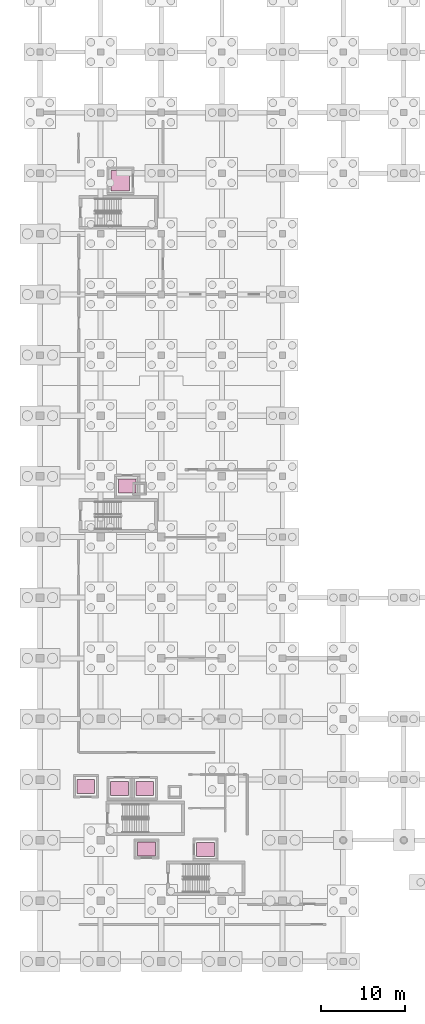
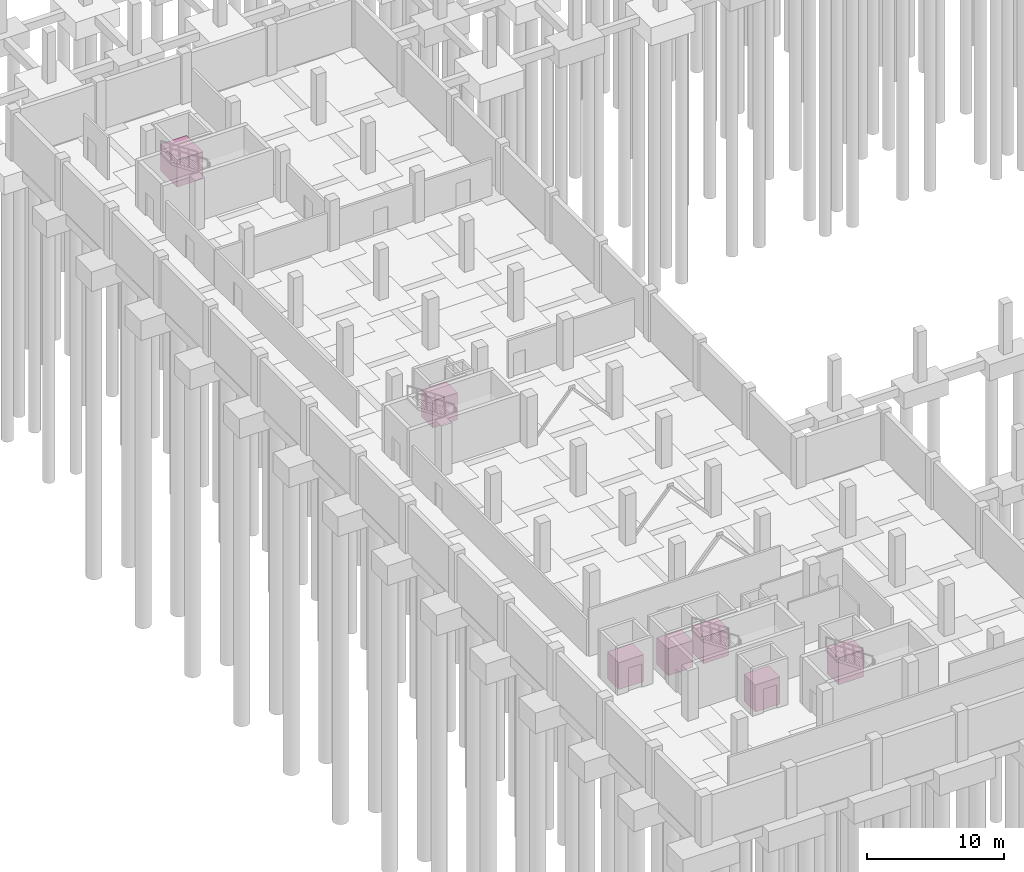
# One storey, part 36 of 36: 7 transport elements.
"""IFC4 building model written with IfcOpenShell, lengths in metres."""

from ifc_helpers import new_model, si_unit, direction, frame, origin, origin_2d, place, context, subcontext, project, spatial, rectangle, extrude, material, type_object, element, save


model = new_model("IFC4")

# Units and contexts
model_context = context("Model", 3, precision=1e-05, world=origin(), true_north=direction((0.0, 1.0)))
body_context = subcontext(model_context, "Body", "Model", "MODEL_VIEW")
ifc_project = project(units=[si_unit("LENGTHUNIT", "METRE"), si_unit("AREAUNIT", "SQUARE_METRE"), si_unit("VOLUMEUNIT", "CUBIC_METRE"), si_unit("PLANEANGLEUNIT", "RADIAN"), si_unit("MASSUNIT", "GRAM", prefix="KILO")], contexts=[model_context])

# Site, building, storey
site_placement = place(None, origin())
site = spatial("IfcSite", under=ifc_project, at=site_placement, CompositionType="ELEMENT")
building_placement = place(site_placement, origin())
building = spatial("IfcBuilding", under=site, at=building_placement, Name="Kalmorath City Hall", CompositionType="ELEMENT")
storey_placement = place(building_placement, frame((0.0, 0.0, -4.5)))
storey = spatial("IfcBuildingStorey", under=building, at=storey_placement, Name="B1", CompositionType="ELEMENT", Elevation=-4.5)

# Transport elements
ifc_material_1 = material(Name="Stainless steel elevator cab", Category="steel")
transport_element_type_1 = type_object("IfcTransportElementType", Name="Archives goods elevator car 2200x2400", PredefinedType="ELEVATOR", material=ifc_material_1)
transport_element_placement = place(storey_placement, frame((9.550048828125, 92.699951171875, 0.0), z_axis=(0.0, 0.0, 1.0), x_axis=(1.0, 0.0, 0.0)))
element("IfcTransportElement", 1, at=transport_element_placement, inside=storey, type_object=transport_element_type_1, Name="Elevator SL1", PredefinedType="ELEVATOR", context=body_context, shape_type="SweptSolid", body=[
    extrude(rectangle(XDim=2.199951171875, YDim=2.39990234375, at=origin_2d()), origin(), (0.0, 0.0, 1.0), 2.39990234375),
])
ifc_material_2 = material(Name="Stainless steel elevator cab", Category="steel")
transport_element_type_2 = type_object("IfcTransportElementType", Name="Firefighting stretcher elevator car 2100x1650", PredefinedType="ELEVATOR", material=ifc_material_2)
for number, where, z_axis, x_axis, name in (
    (2, (5.449951171875, 20.800048828125, 0.0), (0.0, 0.0, 1.0), (1.0, 0.0, 0.0), "Elevator FL1"),
    (3, (12.64990234375, 13.35009765625, 0.0), (0.0, 0.0, 1.0), (1.0, 0.0, 0.0), "Elevator FL2"),
):
    element("IfcTransportElement", number, at=place(storey_placement, frame(where, z_axis=z_axis, x_axis=x_axis)), inside=storey, type_object=transport_element_type_2, Name=name, PredefinedType="ELEVATOR", context=body_context, shape_type="SweptSolid", body=[
        extrude(rectangle(XDim=2.10009765625, YDim=1.64990234375, at=origin_2d()), origin(), (0.0, 0.0, 1.0), 2.39990234375),
    ])
ifc_material_3 = material(Name="Stainless steel elevator cab", Category="steel")
transport_element_type_3 = type_object("IfcTransportElementType", Name="Passenger elevator car 2100x1650", PredefinedType="ELEVATOR", material=ifc_material_3)
for number, where, z_axis, x_axis, name in (
    (4, (9.449951171875, 20.550048828125, 0.0), (0.0, 0.0, 1.0), (1.0, 0.0, 0.0), "Elevator PL1"),
    (5, (12.449951171875, 20.550048828125, 0.0), (0.0, 0.0, 1.0), (1.0, 0.0, 0.0), "Elevator PL2"),
    (6, (19.64990234375, 13.300048828125, 0.0), (0.0, 0.0, 1.0), (1.0, 0.0, 0.0), "Elevator PL3"),
    (7, (10.35009765625, 56.449951171875, 0.0), (0.0, 0.0, 1.0), (1.0, 0.0, 0.0), "Elevator PL4"),
):
    element("IfcTransportElement", number, at=place(storey_placement, frame(where, z_axis=z_axis, x_axis=x_axis)), inside=storey, type_object=transport_element_type_3, Name=name, PredefinedType="ELEVATOR", context=body_context, shape_type="SweptSolid", body=[
        extrude(rectangle(XDim=2.10009765625, YDim=1.64990234375, at=origin_2d()), origin(), (0.0, 0.0, 1.0), 2.39990234375),
    ])

save(model, "model.ifc")
